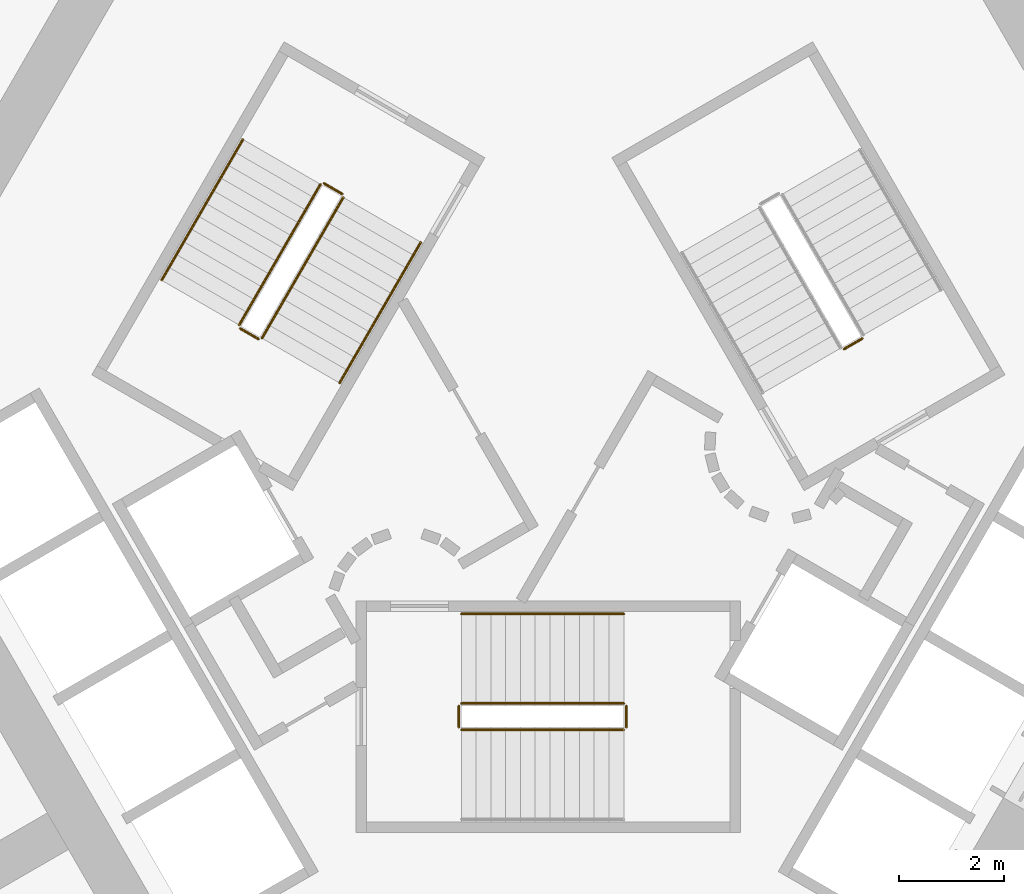
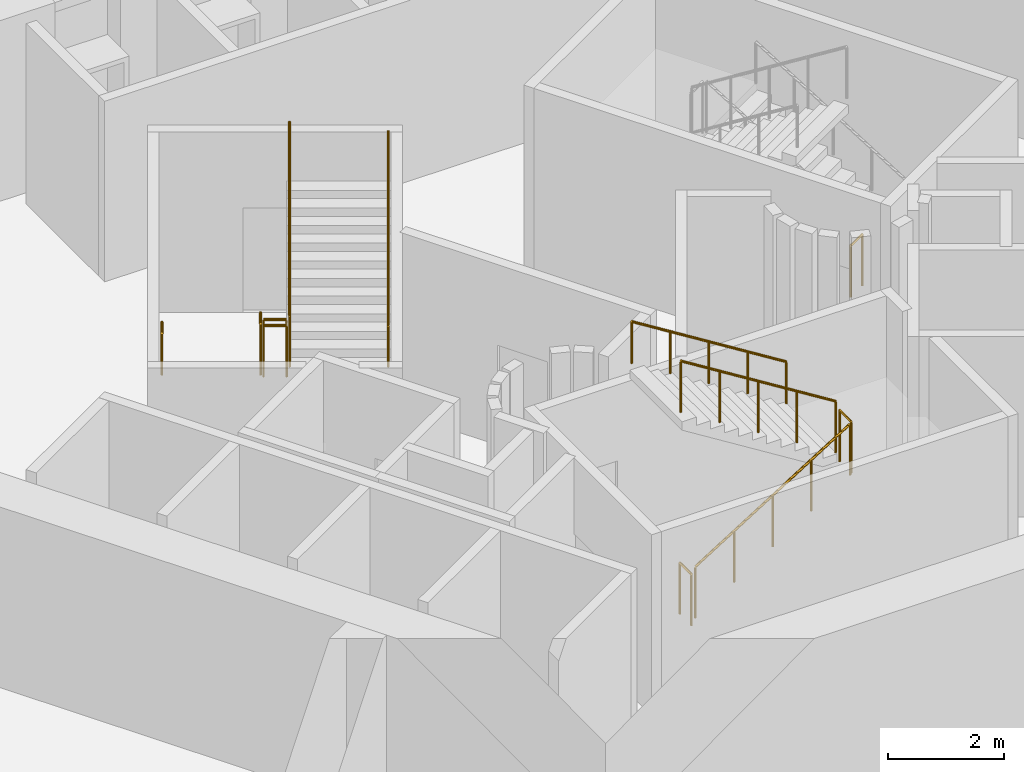
# One storey, part 14 of 16: 12 railings.
"""IFC4 building model written with IfcOpenShell, lengths in metres."""

from ifc_helpers import new_model, si_unit, direction, frame, origin, origin_2d, place, context, subcontext, project, spatial, circle, extrude, material, type_object, element, save


model = new_model("IFC4")

# Units and contexts
model_context = context("Model", 3, precision=1e-05, world=origin(), true_north=direction((0.0, 1.0)))
body_context = subcontext(model_context, "Body", "Model", "MODEL_VIEW")
ifc_project = project(units=[si_unit("LENGTHUNIT", "METRE"), si_unit("AREAUNIT", "SQUARE_METRE"), si_unit("VOLUMEUNIT", "CUBIC_METRE"), si_unit("PLANEANGLEUNIT", "RADIAN"), si_unit("MASSUNIT", "GRAM", prefix="KILO")], contexts=[model_context])

# Site, building, storey
site_placement = place(None, origin())
site = spatial("IfcSite", under=ifc_project, at=site_placement, CompositionType="ELEMENT")
building_placement = place(site_placement, origin())
building = spatial("IfcBuilding", under=site, at=building_placement, Name="Entoto Arch Interchange Tower", CompositionType="ELEMENT")
storey_placement = place(building_placement, frame((0.0, 0.0, 86.60009765625)))
storey = spatial("IfcBuildingStorey", under=building, at=storey_placement, Name="L18", CompositionType="ELEMENT", Elevation=86.60009765625)

# Railings
ifc_material = material(Name="Stainless steel 1.4301", Category="steel")
railing_type_1 = type_object("IfcRailingType", Name="STAIR GUARD 1100 STEEL", PredefinedType="GUARDRAIL", material=ifc_material)
railing_1_placement = place(storey_placement, frame((-1.64990234375, -3.449951171875, 0.1748046875)))
element("IfcRailing", 1, at=railing_1_placement, inside=storey, type_object=railing_type_1, Name="L18 ST-S stair guard 1", PredefinedType="GUARDRAIL", context=body_context, shape_type="SweptSolid", body=[
    extrude(circle(Radius=0.02392578125, at=origin_2d()), frame((0.0, 0.0, 1.076171875), z_axis=(0.847979421464, 0.0, 0.530029150871), x_axis=(0.0, 1.0, 0.0)), (0.0, 0.0, 1.0), 3.632080078125),
    extrude(circle(Radius=0.02099609375, at=origin_2d()), origin(), (0.0, 0.0, 1.0), 1.052001953125),
    extrude(circle(Radius=0.02099609375, at=origin_2d()), frame((0.77001953125, 0.0, 0.481201171875)), (0.0, 0.0, 1.0), 1.052001953125),
    extrude(circle(Radius=0.02099609375, at=origin_2d()), frame((1.5400390625, 0.0, 0.96240234375)), (0.0, 0.0, 1.0), 1.052001953125),
    extrude(circle(Radius=0.02099609375, at=origin_2d()), frame((2.309814453125, 0.0, 1.44384765625)), (0.0, 0.0, 1.0), 1.052001953125),
    extrude(circle(Radius=0.02099609375, at=origin_2d()), frame((3.079833984375, 0.0, 1.925048828125)), (0.0, 0.0, 1.0), 1.052001953125),
])
railing_2_placement = place(storey_placement, frame((1.47998046875, -3.39990234375, 2.099853515625)))
element("IfcRailing", 2, at=railing_2_placement, inside=storey, type_object=railing_type_1, Name="L18 ST-S stair guard 2", PredefinedType="GUARDRAIL", context=body_context, shape_type="SweptSolid", body=[
    extrude(circle(Radius=0.02392578125, at=origin_2d()), frame((0.0, 0.0, 1.076171875), z_axis=(0.0, 1.0, 0.0), x_axis=(-1.0, 0.0, 0.0)), (0.0, 0.0, 1.0), 0.39990234375),
    extrude(circle(Radius=0.02099609375, at=origin_2d()), origin(), (0.0, 0.0, 1.0), 1.052001953125),
    extrude(circle(Radius=0.02099609375, at=origin_2d()), frame((0.0, 0.39990234375, 0.0)), (0.0, 0.0, 1.0), 1.052001953125),
])
railing_3_placement = place(storey_placement, frame((1.429931640625, -2.949951171875, 2.27490234375)))
element("IfcRailing", 3, at=railing_3_placement, inside=storey, type_object=railing_type_1, Name="L18 ST-S stair guard 3", PredefinedType="GUARDRAIL", context=body_context, shape_type="SweptSolid", body=[
    extrude(circle(Radius=0.02392578125, at=origin_2d()), frame((0.0, 0.0, 1.076171875), z_axis=(-0.847979421464, 0.0, 0.530029150871), x_axis=(0.0, -1.0, 0.0)), (0.0, 0.0, 1.0), 3.632080078125),
    extrude(circle(Radius=0.02099609375, at=origin_2d()), origin(), (0.0, 0.0, 1.0), 1.052001953125),
    extrude(circle(Radius=0.02099609375, at=origin_2d()), frame((-0.77001953125, 0.0, 0.481201171875)), (0.0, 0.0, 1.0), 1.052001953125),
    extrude(circle(Radius=0.02099609375, at=origin_2d()), frame((-1.5400390625, 0.0, 0.96240234375)), (0.0, 0.0, 1.0), 1.052001953125),
    extrude(circle(Radius=0.02099609375, at=origin_2d()), frame((-2.309814453125, 0.0, 1.44384765625)), (0.0, 0.0, 1.0), 1.052001953125),
    extrude(circle(Radius=0.02099609375, at=origin_2d()), frame((-3.079833984375, 0.0, 1.925048828125)), (0.0, 0.0, 1.0), 1.052001953125),
])
railing_4_placement = place(storey_placement, frame((-1.699951171875, -3.39990234375, 0.0)))
element("IfcRailing", 4, at=railing_4_placement, inside=storey, type_object=railing_type_1, Name="L18 ST-S stair guard 4", PredefinedType="GUARDRAIL", context=body_context, shape_type="SweptSolid", body=[
    extrude(circle(Radius=0.02392578125, at=origin_2d()), frame((0.0, 0.0, 1.076171875), z_axis=(0.0, 1.0, 0.0), x_axis=(-1.0, 0.0, 0.0)), (0.0, 0.0, 1.0), 0.39990234375),
    extrude(circle(Radius=0.02099609375, at=origin_2d()), origin(), (0.0, 0.0, 1.0), 1.052001953125),
    extrude(circle(Radius=0.02099609375, at=origin_2d()), frame((0.0, 0.39990234375, 0.0)), (0.0, 0.0, 1.0), 1.052001953125),
])
railing_5_placement = place(storey_placement, frame((5.95947265625, 3.977783203125, 0.0)))
element("IfcRailing", 5, at=railing_5_placement, inside=storey, type_object=railing_type_1, Name="L18 ST-NE stair guard 4", PredefinedType="GUARDRAIL", context=body_context, shape_type="SweptSolid", body=[
    extrude(circle(Radius=0.02392578125, at=origin_2d()), frame((0.0, 0.0, 1.076171875), z_axis=(-0.866094119867, -0.499880961361, 0.0), x_axis=(0.499880961361, -0.866094119867, 0.0)), (0.0, 0.0, 1.0), 0.39990234375),
    extrude(circle(Radius=0.02099609375, at=origin_2d()), origin(), (0.0, 0.0, 1.0), 1.052001953125),
    extrude(circle(Radius=0.02099609375, at=origin_2d()), frame((-0.346435546875, -0.199951171875, 0.0)), (0.0, 0.0, 1.0), 1.052001953125),
])
railing_6_placement = place(storey_placement, frame((-4.327880859375, 6.904052734375, 0.1748046875)))
element("IfcRailing", 6, at=railing_6_placement, inside=storey, type_object=railing_type_1, Name="L18 ST-NW stair guard 1", PredefinedType="GUARDRAIL", context=body_context, shape_type="SweptSolid", body=[
    extrude(circle(Radius=0.02392578125, at=origin_2d()), frame((0.0, 0.0, 1.076171875), z_axis=(-0.423994474112, -0.734394994316, 0.52999309264), x_axis=(0.866029832698, -0.499992328818, 0.0)), (0.0, 0.0, 1.0), 3.63232421875),
    extrude(circle(Radius=0.02099609375, at=origin_2d()), origin(), (0.0, 0.0, 1.0), 1.052001953125),
    extrude(circle(Radius=0.02099609375, at=origin_2d()), frame((-0.385009765625, -0.6669921875, 0.481201171875)), (0.0, 0.0, 1.0), 1.052001953125),
    extrude(circle(Radius=0.02099609375, at=origin_2d()), frame((-0.77001953125, -1.333740234375, 0.96240234375)), (0.0, 0.0, 1.0), 1.052001953125),
    extrude(circle(Radius=0.02099609375, at=origin_2d()), frame((-1.155029296875, -2.00048828125, 1.44384765625)), (0.0, 0.0, 1.0), 1.052001953125),
    extrude(circle(Radius=0.02099609375, at=origin_2d()), frame((-1.5400390625, -2.66748046875, 1.925048828125)), (0.0, 0.0, 1.0), 1.052001953125),
])
railing_7_placement = place(storey_placement, frame((-5.849609375, 4.168212890625, 2.099853515625)))
element("IfcRailing", 7, at=railing_7_placement, inside=storey, type_object=railing_type_1, Name="L18 ST-NW stair guard 2", PredefinedType="GUARDRAIL", context=body_context, shape_type="SweptSolid", body=[
    extrude(circle(Radius=0.02392578125, at=origin_2d()), frame((0.0, 0.0, 1.076171875), z_axis=(0.866094119867, -0.499880961361, 0.0), x_axis=(0.499880961361, 0.866094119867, 0.0)), (0.0, 0.0, 1.0), 0.39990234375),
    extrude(circle(Radius=0.02099609375, at=origin_2d()), origin(), (0.0, 0.0, 1.0), 1.052001953125),
    extrude(circle(Radius=0.02099609375, at=origin_2d()), frame((0.346435546875, -0.199951171875, 0.0)), (0.0, 0.0, 1.0), 1.052001953125),
])
railing_8_placement = place(storey_placement, frame((-5.434814453125, 3.986572265625, 2.27490234375)))
element("IfcRailing", 8, at=railing_8_placement, inside=storey, type_object=railing_type_1, Name="L18 ST-NW stair guard 3", PredefinedType="GUARDRAIL", context=body_context, shape_type="SweptSolid", body=[
    extrude(circle(Radius=0.02392578125, at=origin_2d()), frame((0.0, 0.0, 1.076171875), z_axis=(0.423994474112, 0.734394994316, 0.52999309264), x_axis=(-0.866029832698, 0.499992328818, 0.0)), (0.0, 0.0, 1.0), 3.63232421875),
    extrude(circle(Radius=0.02099609375, at=origin_2d()), origin(), (0.0, 0.0, 1.0), 1.052001953125),
    extrude(circle(Radius=0.02099609375, at=origin_2d()), frame((0.385009765625, 0.6669921875, 0.481201171875)), (0.0, 0.0, 1.0), 1.052001953125),
    extrude(circle(Radius=0.02099609375, at=origin_2d()), frame((0.77001953125, 1.333740234375, 0.96240234375)), (0.0, 0.0, 1.0), 1.052001953125),
    extrude(circle(Radius=0.02099609375, at=origin_2d()), frame((1.155029296875, 2.00048828125, 1.44384765625)), (0.0, 0.0, 1.0), 1.052001953125),
    extrude(circle(Radius=0.02099609375, at=origin_2d()), frame((1.5400390625, 2.66748046875, 1.925048828125)), (0.0, 0.0, 1.0), 1.052001953125),
])
railing_9_placement = place(storey_placement, frame((-4.259521484375, 6.92236328125, 0.0)))
element("IfcRailing", 9, at=railing_9_placement, inside=storey, type_object=railing_type_1, Name="L18 ST-NW stair guard 4", PredefinedType="GUARDRAIL", context=body_context, shape_type="SweptSolid", body=[
    extrude(circle(Radius=0.02392578125, at=origin_2d()), frame((0.0, 0.0, 1.076171875), z_axis=(0.865829829939, -0.500338590944, 0.0), x_axis=(0.500338590944, 0.865829829939, 0.0)), (0.0, 0.0, 1.0), 0.400146484375),
    extrude(circle(Radius=0.02099609375, at=origin_2d()), origin(), (0.0, 0.0, 1.0), 1.052001953125),
    extrude(circle(Radius=0.02099609375, at=origin_2d()), frame((0.346435546875, -0.2001953125, 0.0)), (0.0, 0.0, 1.0), 1.052001953125),
])
railing_type_2 = type_object("IfcRailingType", Name="STAIR HANDRAIL 900 STEEL", PredefinedType="HANDRAIL", material=ifc_material)
railing_10_placement = place(storey_placement, frame((1.429931640625, -1.25, 2.27490234375)))
element("IfcRailing", 10, at=railing_10_placement, inside=storey, type_object=railing_type_2, Name="L18 ST-S stair handrail 2", PredefinedType="HANDRAIL", context=body_context, shape_type="SweptSolid", body=[
    extrude(circle(Radius=0.02392578125, at=origin_2d()), frame((0.0, 0.0, 0.8759765625), z_axis=(-0.847979421464, 0.0, 0.530029150871), x_axis=(0.0, -1.0, 0.0)), (0.0, 0.0, 1.0), 3.632080078125),
    extrude(circle(Radius=0.02099609375, at=origin_2d()), origin(), (0.0, 0.0, 1.0), 0.851806640625),
    extrude(circle(Radius=0.02099609375, at=origin_2d()), frame((-0.77001953125, 0.0, 0.481201171875)), (0.0, 0.0, 1.0), 0.851806640625),
    extrude(circle(Radius=0.02099609375, at=origin_2d()), frame((-1.5400390625, 0.0, 0.96240234375)), (0.0, 0.0, 1.0), 0.851806640625),
    extrude(circle(Radius=0.02099609375, at=origin_2d()), frame((-2.309814453125, 0.0, 1.44384765625)), (0.0, 0.0, 1.0), 0.851806640625),
    extrude(circle(Radius=0.02099609375, at=origin_2d()), frame((-3.079833984375, 0.0, 1.925048828125)), (0.0, 0.0, 1.0), 0.851806640625),
])
railing_11_placement = place(storey_placement, frame((-5.800048828125, 7.75390625, 0.1748046875)))
element("IfcRailing", 11, at=railing_11_placement, inside=storey, type_object=railing_type_2, Name="L18 ST-NW stair handrail 1", PredefinedType="HANDRAIL", context=body_context, shape_type="SweptSolid", body=[
    extrude(circle(Radius=0.02392578125, at=origin_2d()), frame((0.0, 0.0, 0.8759765625), z_axis=(-0.424015404183, -0.734364028329, 0.530019255228), x_axis=(0.866010015463, -0.500026652407, 0.0)), (0.0, 0.0, 1.0), 3.632080078125),
    extrude(circle(Radius=0.02099609375, at=origin_2d()), origin(), (0.0, 0.0, 1.0), 0.851806640625),
    extrude(circle(Radius=0.02099609375, at=origin_2d()), frame((-0.385009765625, -0.666748046875, 0.481201171875)), (0.0, 0.0, 1.0), 0.851806640625),
    extrude(circle(Radius=0.02099609375, at=origin_2d()), frame((-0.77001953125, -1.33349609375, 0.96240234375)), (0.0, 0.0, 1.0), 0.851806640625),
    extrude(circle(Radius=0.02099609375, at=origin_2d()), frame((-1.155029296875, -2.00048828125, 1.44384765625)), (0.0, 0.0, 1.0), 0.851806640625),
    extrude(circle(Radius=0.02099609375, at=origin_2d()), frame((-1.5400390625, -2.667236328125, 1.925048828125)), (0.0, 0.0, 1.0), 0.851806640625),
])
railing_12_placement = place(storey_placement, frame((-3.962646484375, 3.136474609375, 2.27490234375)))
element("IfcRailing", 12, at=railing_12_placement, inside=storey, type_object=railing_type_2, Name="L18 ST-NW stair handrail 2", PredefinedType="HANDRAIL", context=body_context, shape_type="SweptSolid", body=[
    extrude(circle(Radius=0.02392578125, at=origin_2d()), frame((0.0, 0.0, 0.8759765625), z_axis=(0.423994474112, 0.734394994316, 0.52999309264), x_axis=(-0.866029832698, 0.499992328818, 0.0)), (0.0, 0.0, 1.0), 3.63232421875),
    extrude(circle(Radius=0.02099609375, at=origin_2d()), origin(), (0.0, 0.0, 1.0), 0.851806640625),
    extrude(circle(Radius=0.02099609375, at=origin_2d()), frame((0.385009765625, 0.6669921875, 0.481201171875)), (0.0, 0.0, 1.0), 0.851806640625),
    extrude(circle(Radius=0.02099609375, at=origin_2d()), frame((0.77001953125, 1.333740234375, 0.96240234375)), (0.0, 0.0, 1.0), 0.851806640625),
    extrude(circle(Radius=0.02099609375, at=origin_2d()), frame((1.155029296875, 2.00048828125, 1.44384765625)), (0.0, 0.0, 1.0), 0.851806640625),
    extrude(circle(Radius=0.02099609375, at=origin_2d()), frame((1.5400390625, 2.66748046875, 1.925048828125)), (0.0, 0.0, 1.0), 0.851806640625),
])

save(model, "model.ifc")
